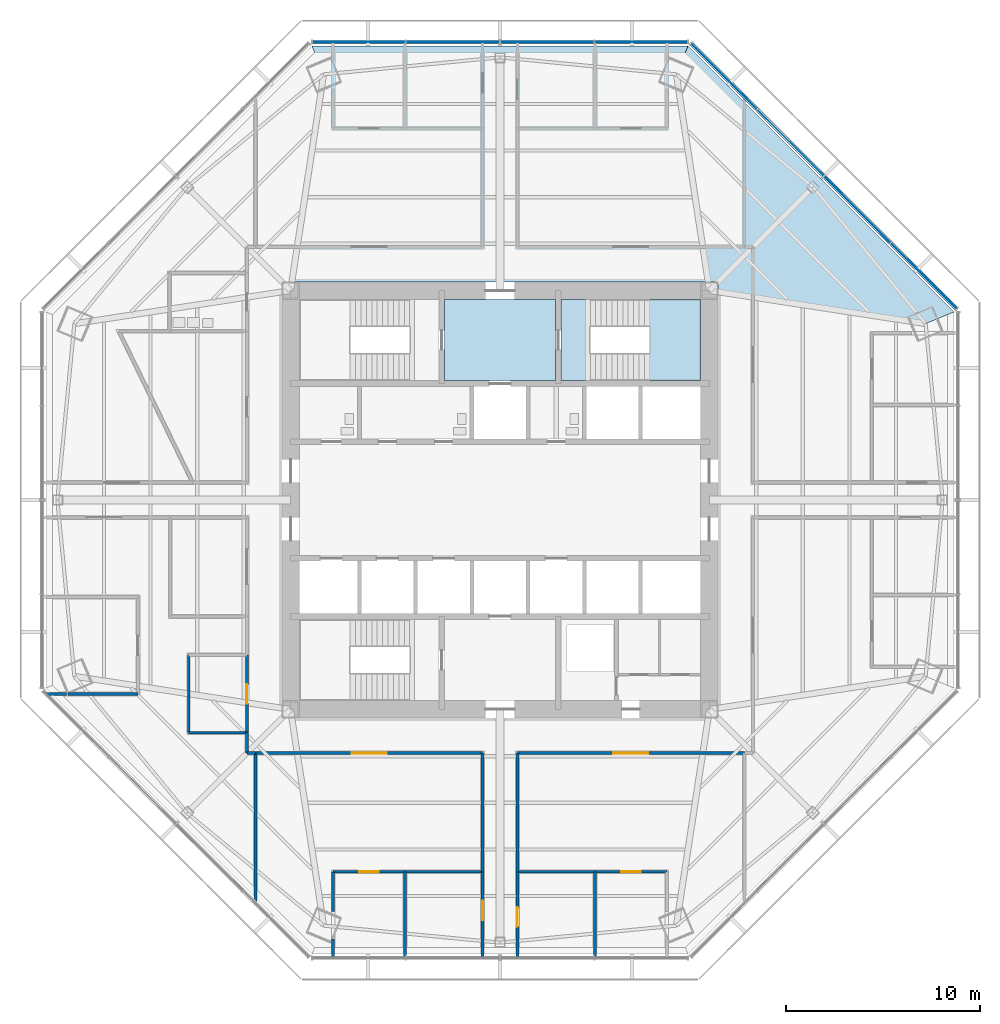
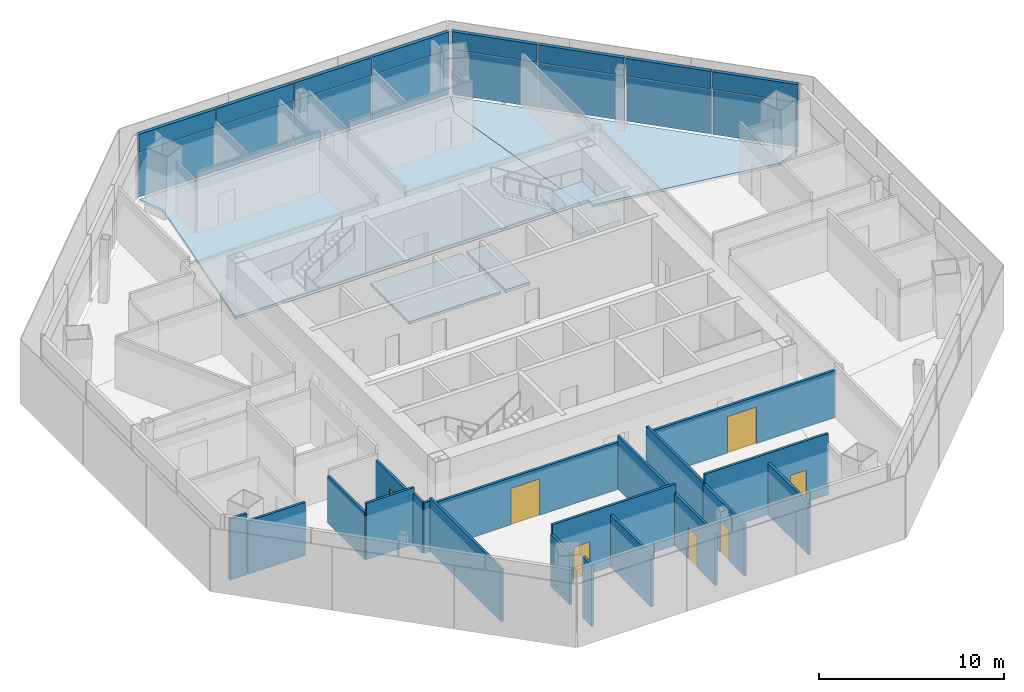
# One storey, part 8 of 15: 20 walls, 16 plates, 7 doors, 5 slabs, 7 openings, 3 elements without a shape of their own.
"""IFC4 building model written with IfcOpenShell, lengths in metres."""

from ifc_helpers import new_model, si_unit, direction, frame, frame_2d, origin, origin_2d, place, context, subcontext, project, spatial, polyline, rectangle, outline, extrude, source, transform, mapped, material, layer, layer_set, type_object, type_shapes, element, fill, aggregate, save


model = new_model("IFC4")

# Units and contexts
model_context = context("Model", 3, precision=1e-05, world=origin(), true_north=direction((0.0, 1.0)))
body_context = subcontext(model_context, "Body", "Model", "MODEL_VIEW")
ifc_project = project(units=[si_unit("LENGTHUNIT", "METRE"), si_unit("AREAUNIT", "SQUARE_METRE"), si_unit("VOLUMEUNIT", "CUBIC_METRE"), si_unit("PLANEANGLEUNIT", "RADIAN"), si_unit("MASSUNIT", "GRAM", prefix="KILO")], contexts=[model_context])

# Site, building, storey
site_placement = place(None, origin())
site = spatial("IfcSite", under=ifc_project, at=site_placement, CompositionType="ELEMENT")
building_placement = place(site_placement, origin())
building = spatial("IfcBuilding", under=site, at=building_placement, Name="Mashrafa Tower", CompositionType="ELEMENT")
storey_placement = place(building_placement, frame((0.0, 0.0, 155.39990234375)))
storey = spatial("IfcBuildingStorey", under=building, at=storey_placement, Name="L35", CompositionType="ELEMENT", Elevation=155.39990234375)

# Slabs
ifc_material_1 = material(Name="Concrete C35/45", Category="concrete")
ifc_layer_1 = layer(ifc_material_1, 0.1650390625)
ifc_layer_set_1 = layer_set([ifc_layer_1], Name="Floor slab 165")
slab_type_1 = type_object("IfcSlabType", Name="Floor slab 165", PredefinedType="FLOOR", material=ifc_layer_set_1)
slab_1_placement = place(storey_placement, frame((0.0, 0.0, -0.164794921875)))
element("IfcSlab", 1, at=slab_1_placement, inside=storey, type_object=slab_type_1, Name="Floor slab L35 north-east bay", PredefinedType="FLOOR", context=body_context, shape_type="SweptSolid", body=[
    extrude(outline(polyline([(23.418701171875, 9.700439453125), (21.945068359375, 9.090087890625), (11.25, 10.73095703125), (11.25, 11.25), (10.73095703125, 11.25), (9.090087890625, 21.945068359375), (9.700439453125, 23.418701171875), (23.418701171875, 9.700439453125)])), origin(), (0.0, 0.0, 1.0), 0.164794921875),
])
slab_2_placement = place(storey_placement, frame((0.0, 0.0, -0.164794921875)))
element("IfcSlab", 2, at=slab_2_placement, inside=storey, type_object=slab_type_1, Name="Floor slab L35 north bay", PredefinedType="FLOOR", context=body_context, shape_type="SweptSolid", body=[
    extrude(outline(polyline([(-9.700439453125, 23.418701171875), (9.700439453125, 23.418701171875), (9.700439453125, 23.418701171875), (9.090087890625, 21.945068359375), (10.73095703125, 11.25), (-10.73095703125, 11.25), (-9.090087890625, 21.945068359375), (-9.700439453125, 23.418701171875), (-9.700439453125, 23.418701171875)])), origin(), (0.0, 0.0, 1.0), 0.164794921875),
])
slab_3_placement = place(storey_placement, frame((0.0, 0.0, -0.164794921875)))
element("IfcSlab", 3, at=slab_3_placement, inside=storey, type_object=slab_type_1, Name="Core floor fire-fighting lobby north L35", PredefinedType="FLOOR", context=body_context, shape_type="SweptSolid", body=[
    extrude(outline(polyline([(-2.85009765625, 10.35009765625), (2.85009765625, 10.35009765625), (2.85009765625, 6.14990234375), (-2.85009765625, 6.14990234375), (-2.85009765625, 10.35009765625)])), origin(), (0.0, 0.0, 1.0), 0.164794921875),
])

# Stair, slabs
ifc_material_2 = material(Name="Exit stair 1400")
stair_type = type_object("IfcStairType", Name="Exit stair 1400", PredefinedType="HALF_TURN_STAIR", material=ifc_material_2)
stair_placement = place(storey_placement, origin())
stair = element("IfcStair", 4, at=stair_placement, inside=storey, type_object=stair_type, Name="Stair S2 L35", PredefinedType="HALF_TURN_STAIR")
ifc_material_3 = material(Name="Concrete C32/40", Category="concrete")
ifc_layer_2 = layer(ifc_material_3, 0.199951171875)
ifc_layer_set_2 = layer_set([ifc_layer_2], Name="Stair landing 200")
slab_type_2 = type_object("IfcSlabType", Name="Stair landing 200", PredefinedType="LANDING", material=ifc_layer_set_2)
slab_4_placement = place(storey_placement, frame((0.0, 0.0, -0.199951171875)))
slab_4 = element("IfcSlab", 5, at=slab_4_placement, type_object=slab_type_2, Name="S2 landing 1", PredefinedType="LANDING", context=body_context, shape_type="SweptSolid", body=[
    extrude(outline(polyline([(3.14990234375, 6.14990234375), (4.659912109375, 6.14990234375), (4.659912109375, 10.35009765625), (3.14990234375, 10.35009765625), (3.14990234375, 6.14990234375)])), origin(), (0.0, 0.0, 1.0), 0.199951171875),
])
slab_5_placement = place(storey_placement, frame((0.0, 0.0, 1.900146484375)))
slab_5 = element("IfcSlab", 6, at=slab_5_placement, type_object=slab_type_2, Name="S2 landing 2", PredefinedType="LANDING", context=body_context, shape_type="SweptSolid", body=[
    extrude(outline(polyline([(7.719970703125, 6.14990234375), (10.35009765625, 6.14990234375), (10.35009765625, 10.35009765625), (7.719970703125, 10.35009765625), (7.719970703125, 6.14990234375)])), origin(), (0.0, 0.0, 1.0), 0.199951171875),
])
aggregate(stair, [slab_4, slab_5])

# Curtain wall, plates
ifc_material_4 = material(Name="Unitised aluminium curtain wall", Category="aluminium")
curtain_wall_type = type_object("IfcCurtainWallType", Name="Office curtain wall, zone 2 CW-B 225 deep", PredefinedType="NOTDEFINED", material=ifc_material_4)
curtain_wall_1_placement = place(storey_placement, origin())
curtain_wall_1 = element("IfcCurtainWall", 7, at=curtain_wall_1_placement, inside=storey, type_object=curtain_wall_type, Name="Office curtain wall, zone 2 L35 north-east", PredefinedType="NOTDEFINED")
ifc_material_5 = material(Name="Insulated double glazing, low-e, neutral", Category="glass")
ifc_layer_3 = layer(ifc_material_5, 0.028076171875)
ifc_layer_set_3 = layer_set([ifc_layer_3], Name="Vision panel CW-B 28")
plate_type_1 = type_object("IfcPlateType", Name="Vision panel CW-B 28", PredefinedType="CURTAIN_PANEL", material=ifc_layer_set_3)
shared_shape_1 = source(origin(), body_context, "Body", "SweptSolid", [
    extrude(rectangle(XDim=4.765869140625, YDim=0.028076171875, at=origin_2d()), origin(), (0.0, 0.0, 1.0), 2.9599609375),
])
plate_1_placement = place(storey_placement, frame((21.84765625, 11.55419921875, 0.0), z_axis=(0.0, 0.0, 1.0), x_axis=(-0.707106781187, 0.707106781187, 0.0)))
plate_1 = element("IfcPlate", 8, at=plate_1_placement, type_object=plate_type_1, Name="CW-B vision panel 1", PredefinedType="CURTAIN_PANEL", context=body_context, shape_type="MappedRepresentation", body=[
    mapped(shared_shape_1, transform((0.0, 0.0, 0.0))),
])
plate_2_placement = place(storey_placement, frame((11.55419921875, 21.84765625, 0.0), z_axis=(0.0, 0.0, 1.0), x_axis=(-0.707106781187, 0.707106781187, 0.0)))
plate_2 = element("IfcPlate", 9, at=plate_2_placement, type_object=plate_type_1, Name="CW-B vision panel 4", PredefinedType="CURTAIN_PANEL", context=body_context, shape_type="MappedRepresentation", body=[
    mapped(shared_shape_1, transform((0.0, 0.0, 0.0))),
])

curtain_wall_2_placement = place(storey_placement, origin())
curtain_wall_2 = element("IfcCurtainWall", 10, at=curtain_wall_2_placement, inside=storey, type_object=curtain_wall_type, Name="Office curtain wall, zone 2 L35 north", PredefinedType="NOTDEFINED")
plate_3_placement = place(storey_placement, frame((7.278564453125, 23.61865234375, 0.0), z_axis=(0.0, 0.0, 1.0), x_axis=(-1.0, 0.0, 0.0)))
plate_3 = element("IfcPlate", 11, at=plate_3_placement, type_object=plate_type_1, Name="CW-B vision panel 1", PredefinedType="CURTAIN_PANEL", context=body_context, shape_type="MappedRepresentation", body=[
    mapped(shared_shape_1, transform((0.0, 0.0, 0.0))),
])
plate_4_placement = place(storey_placement, frame((-7.278564453125, 23.61865234375, 0.0), z_axis=(0.0, 0.0, 1.0), x_axis=(-1.0, 0.0, 0.0)))
plate_4 = element("IfcPlate", 12, at=plate_4_placement, type_object=plate_type_1, Name="CW-B vision panel 4", PredefinedType="CURTAIN_PANEL", context=body_context, shape_type="MappedRepresentation", body=[
    mapped(shared_shape_1, transform((0.0, 0.0, 0.0))),
])

# Plate
ifc_material_6 = material(Name="Insulated aluminium spandrel panel", Category="aluminium")
ifc_layer_4 = layer(ifc_material_6, 0.219970703125)
ifc_layer_set_4 = layer_set([ifc_layer_4], Name="Spandrel panel CW-B 220")
plate_type_2 = type_object("IfcPlateType", Name="Spandrel panel CW-B 220", PredefinedType="CURTAIN_PANEL", material=ifc_layer_set_4)
shared_shape_2 = source(origin(), body_context, "Body", "SweptSolid", [
    extrude(rectangle(XDim=4.765869140625, YDim=0.219970703125, at=origin_2d()), origin(), (0.0, 0.0, 1.0), 1.159912109375),
])
plate_5_placement = place(storey_placement, frame((21.84765625, 11.55419921875, 3.0400390625), z_axis=(0.0, 0.0, 1.0), x_axis=(-0.707106781187, 0.707106781187, 0.0)))
plate_5 = element("IfcPlate", 13, at=plate_5_placement, type_object=plate_type_2, Name="CW-B spandrel panel 1", PredefinedType="CURTAIN_PANEL", context=body_context, shape_type="MappedRepresentation", body=[
    mapped(shared_shape_2, transform((0.0, 0.0, 0.0))),
])

plate_6_placement = place(storey_placement, frame((11.55419921875, 21.84765625, 3.0400390625), z_axis=(0.0, 0.0, 1.0), x_axis=(-0.707106781187, 0.707106781187, 0.0)))
plate_6 = element("IfcPlate", 14, at=plate_6_placement, type_object=plate_type_2, Name="CW-B spandrel panel 4", PredefinedType="CURTAIN_PANEL", context=body_context, shape_type="MappedRepresentation", body=[
    mapped(shared_shape_2, transform((0.0, 0.0, 0.0))),
])

plate_7_placement = place(storey_placement, frame((7.278564453125, 23.61865234375, 3.0400390625), z_axis=(0.0, 0.0, 1.0), x_axis=(-1.0, 0.0, 0.0)))
plate_7 = element("IfcPlate", 15, at=plate_7_placement, type_object=plate_type_2, Name="CW-B spandrel panel 1", PredefinedType="CURTAIN_PANEL", context=body_context, shape_type="MappedRepresentation", body=[
    mapped(shared_shape_2, transform((0.0, 0.0, 0.0))),
])

plate_8_placement = place(storey_placement, frame((-7.278564453125, 23.61865234375, 3.0400390625), z_axis=(0.0, 0.0, 1.0), x_axis=(-1.0, 0.0, 0.0)))
plate_8 = element("IfcPlate", 16, at=plate_8_placement, type_object=plate_type_2, Name="CW-B spandrel panel 4", PredefinedType="CURTAIN_PANEL", context=body_context, shape_type="MappedRepresentation", body=[
    mapped(shared_shape_2, transform((0.0, 0.0, 0.0))),
])

shared_shape_3 = source(origin(), body_context, "Body", "SweptSolid", [
    extrude(rectangle(XDim=4.79833984375, YDim=0.028076171875, at=origin_2d()), origin(), (0.0, 0.0, 1.0), 2.9599609375),
])
type_shapes(plate_type_1, [shared_shape_1, shared_shape_3])
plate_9_placement = place(storey_placement, frame((18.42041015625, 14.9814453125, 0.0), z_axis=(0.0, 0.0, 1.0), x_axis=(-0.707106781187, 0.707106781187, 0.0)))
plate_9 = element("IfcPlate", 17, at=plate_9_placement, type_object=plate_type_1, Name="CW-B vision panel 2", PredefinedType="CURTAIN_PANEL", context=body_context, shape_type="MappedRepresentation", body=[
    mapped(shared_shape_3, transform((0.0, 0.0, 0.0))),
])

plate_10_placement = place(storey_placement, frame((14.9814453125, 18.42041015625, 0.0), z_axis=(0.0, 0.0, 1.0), x_axis=(-0.707106781187, 0.707106781187, 0.0)))
plate_10 = element("IfcPlate", 18, at=plate_10_placement, type_object=plate_type_1, Name="CW-B vision panel 3", PredefinedType="CURTAIN_PANEL", context=body_context, shape_type="MappedRepresentation", body=[
    mapped(shared_shape_3, transform((0.0, 0.0, 0.0))),
])

plate_11_placement = place(storey_placement, frame((2.431640625, 23.61865234375, 0.0), z_axis=(0.0, 0.0, 1.0), x_axis=(-1.0, 0.0, 0.0)))
plate_11 = element("IfcPlate", 19, at=plate_11_placement, type_object=plate_type_1, Name="CW-B vision panel 2", PredefinedType="CURTAIN_PANEL", context=body_context, shape_type="MappedRepresentation", body=[
    mapped(shared_shape_3, transform((0.0, 0.0, 0.0))),
])

plate_12_placement = place(storey_placement, frame((-2.431640625, 23.61865234375, 0.0), z_axis=(0.0, 0.0, 1.0), x_axis=(-1.0, 0.0, 0.0)))
plate_12 = element("IfcPlate", 20, at=plate_12_placement, type_object=plate_type_1, Name="CW-B vision panel 3", PredefinedType="CURTAIN_PANEL", context=body_context, shape_type="MappedRepresentation", body=[
    mapped(shared_shape_3, transform((0.0, 0.0, 0.0))),
])

shared_shape_4 = source(origin(), body_context, "Body", "SweptSolid", [
    extrude(rectangle(XDim=4.79833984375, YDim=0.219970703125, at=origin_2d()), origin(), (0.0, 0.0, 1.0), 1.159912109375),
])
type_shapes(plate_type_2, [shared_shape_2, shared_shape_4])
plate_13_placement = place(storey_placement, frame((18.42041015625, 14.9814453125, 3.0400390625), z_axis=(0.0, 0.0, 1.0), x_axis=(-0.707106781187, 0.707106781187, 0.0)))
plate_13 = element("IfcPlate", 21, at=plate_13_placement, type_object=plate_type_2, Name="CW-B spandrel panel 2", PredefinedType="CURTAIN_PANEL", context=body_context, shape_type="MappedRepresentation", body=[
    mapped(shared_shape_4, transform((0.0, 0.0, 0.0))),
])

plate_14_placement = place(storey_placement, frame((14.9814453125, 18.42041015625, 3.0400390625), z_axis=(0.0, 0.0, 1.0), x_axis=(-0.707106781187, 0.707106781187, 0.0)))
plate_14 = element("IfcPlate", 22, at=plate_14_placement, type_object=plate_type_2, Name="CW-B spandrel panel 3", PredefinedType="CURTAIN_PANEL", context=body_context, shape_type="MappedRepresentation", body=[
    mapped(shared_shape_4, transform((0.0, 0.0, 0.0))),
])

aggregate(curtain_wall_1, [plate_1, plate_5, plate_9, plate_13, plate_10, plate_14, plate_2, plate_6])

plate_15_placement = place(storey_placement, frame((2.431640625, 23.61865234375, 3.0400390625), z_axis=(0.0, 0.0, 1.0), x_axis=(-1.0, 0.0, 0.0)))
plate_15 = element("IfcPlate", 23, at=plate_15_placement, type_object=plate_type_2, Name="CW-B spandrel panel 2", PredefinedType="CURTAIN_PANEL", context=body_context, shape_type="MappedRepresentation", body=[
    mapped(shared_shape_4, transform((0.0, 0.0, 0.0))),
])

plate_16_placement = place(storey_placement, frame((-2.431640625, 23.61865234375, 3.0400390625), z_axis=(0.0, 0.0, 1.0), x_axis=(-1.0, 0.0, 0.0)))
plate_16 = element("IfcPlate", 24, at=plate_16_placement, type_object=plate_type_2, Name="CW-B spandrel panel 3", PredefinedType="CURTAIN_PANEL", context=body_context, shape_type="MappedRepresentation", body=[
    mapped(shared_shape_4, transform((0.0, 0.0, 0.0))),
])

aggregate(curtain_wall_2, [plate_3, plate_7, plate_11, plate_15, plate_12, plate_16, plate_4, plate_8])

# Wall, opening, door
ifc_material_7 = material(Name="Gypsum board on steel studs", Category="steel")
ifc_layer_5 = layer(ifc_material_7, 0.14990234375)
ifc_layer_set_5 = layer_set([ifc_layer_5], Name="Corridor partition 150 1 hr")
wall_type_1 = type_object("IfcWallType", Name="Corridor partition 150 1 hr", PredefinedType="PARTITIONING", material=ifc_layer_set_5)
wall_1_placement = place(storey_placement, frame((0.89990234375, -23.602783203125, 0.0), z_axis=(0.0, 0.0, 1.0), x_axis=(0.0, 1.0, 0.0)))
wall_1 = element("IfcWall", 25, at=wall_1_placement, inside=storey, type_object=wall_type_1, Name="Corridor wall L35-008", PredefinedType="PARTITIONING", context=body_context, shape_type="SweptSolid", body=[
    extrude(rectangle(XDim=4.43505859375, YDim=0.14990234375, at=frame_2d((2.217529296875, 0.0))), origin(), (0.0, 0.0, 1.0), 3.423095703125),
])
opening_1_placement = place(wall_1_placement, frame((1.599609375, 0.0, 0.0)))
opening_1 = element("IfcOpeningElement", 26, at=opening_1_placement, cuts=wall_1, Name="Opening 35.011", PredefinedType="OPENING", context=body_context, shape_type="SweptSolid", body=[
    extrude(rectangle(XDim=1.0, YDim=2.10009765625, at=frame_2d((0.5, 1.050048828125))), frame((0.0, 0.0849609375, 0.0), z_axis=(0.0, -1.0, 0.0), x_axis=(1.0, 0.0, 0.0)), (0.0, 0.0, 1.0), 0.169921875),
])
ifc_material_8 = material(Name="Timber door", Category="wood")
door_type_1 = type_object("IfcDoorType", Name="Door 1000 x 2100", OperationType="USERDEFINED", PredefinedType="DOOR", material=ifc_material_8)
door_1_placement = place(opening_1_placement, frame((1.0, 0.0, 0.0), z_axis=(0.0, 0.0, 1.0), x_axis=(-1.0, 0.0, 0.0)))
door_1 = element("IfcDoor", 27, at=door_1_placement, inside=storey, type_object=door_type_1, Name="Serviced Office 35-SA-1 door", OperationType="SINGLE_SWING_RIGHT", OverallHeight=2.10009765625, OverallWidth=1.0, PredefinedType="DOOR", context=body_context, shape_type="SweptSolid", body=[
    extrude(rectangle(XDim=1.0, YDim=2.10009765625, at=frame_2d((0.5, 1.050048828125))), frame((0.0, 0.02490234375, 0.0), z_axis=(0.0, -1.0, 0.0), x_axis=(1.0, 0.0, 0.0)), (0.0, 0.0, 1.0), 0.050048828125),
])
fill(opening_1, door_1)

wall_2_placement = place(storey_placement, frame((-0.89990234375, -19.167724609375, 0.0), z_axis=(0.0, 0.0, 1.0), x_axis=(0.0, -1.0, 0.0)))
wall_2 = element("IfcWall", 28, at=wall_2_placement, inside=storey, type_object=wall_type_1, Name="Corridor wall L35-009", PredefinedType="PARTITIONING", context=body_context, shape_type="SweptSolid", body=[
    extrude(rectangle(XDim=4.43505859375, YDim=0.14990234375, at=frame_2d((2.217529296875, 0.0))), origin(), (0.0, 0.0, 1.0), 3.423095703125),
])
opening_2_placement = place(wall_2_placement, frame((1.50048828125, 0.0, 0.0)))
opening_2 = element("IfcOpeningElement", 29, at=opening_2_placement, cuts=wall_2, Name="Opening 35.014", PredefinedType="OPENING", context=body_context, shape_type="SweptSolid", body=[
    extrude(rectangle(XDim=1.0, YDim=2.10009765625, at=frame_2d((0.5, 1.050048828125))), frame((0.0, 0.0849609375, 0.0), z_axis=(0.0, -1.0, 0.0), x_axis=(1.0, 0.0, 0.0)), (0.0, 0.0, 1.0), 0.169921875),
])
door_2_placement = place(opening_2_placement, frame((1.0, 0.0, 0.0), z_axis=(0.0, 0.0, 1.0), x_axis=(-1.0, 0.0, 0.0)))
door_2 = element("IfcDoor", 30, at=door_2_placement, inside=storey, type_object=door_type_1, Name="Serviced Office 35-SB-2 door", OperationType="SINGLE_SWING_RIGHT", OverallHeight=2.10009765625, OverallWidth=1.0, PredefinedType="DOOR", context=body_context, shape_type="SweptSolid", body=[
    extrude(rectangle(XDim=1.0, YDim=2.10009765625, at=frame_2d((0.5, 1.050048828125))), frame((0.0, 0.02490234375, 0.0), z_axis=(0.0, -1.0, 0.0), x_axis=(1.0, 0.0, 0.0)), (0.0, 0.0, 1.0), 0.050048828125),
])
fill(opening_2, door_2)

wall_3_placement = place(storey_placement, frame((-13.050048828125, -7.9990234375, 0.0), z_axis=(0.0, 0.0, 1.0), x_axis=(0.0, -1.0, 0.0)))
wall_3 = element("IfcWall", 31, at=wall_3_placement, inside=storey, type_object=wall_type_1, Name="Corridor wall L35-010", PredefinedType="PARTITIONING", context=body_context, shape_type="SweptSolid", body=[
    extrude(rectangle(XDim=4.001953125, YDim=0.14990234375, at=frame_2d((2.0009765625, 0.0))), origin(), (0.0, 0.0, 1.0), 3.097900390625),
])
opening_3_placement = place(wall_3_placement, frame((1.5009765625, 0.0, 0.0)))
opening_3 = element("IfcOpeningElement", 32, at=opening_3_placement, cuts=wall_3, Name="Opening 35.016", PredefinedType="OPENING", context=body_context, shape_type="SweptSolid", body=[
    extrude(rectangle(XDim=1.0, YDim=2.10009765625, at=frame_2d((0.5, 1.050048828125))), frame((0.0, 0.0849609375, 0.0), z_axis=(0.0, -1.0, 0.0), x_axis=(1.0, 0.0, 0.0)), (0.0, 0.0, 1.0), 0.169921875),
])
door_3_placement = place(opening_3_placement, frame((1.0, 0.0, 0.0), z_axis=(0.0, 0.0, 1.0), x_axis=(-1.0, 0.0, 0.0)))
door_3 = element("IfcDoor", 33, at=door_3_placement, inside=storey, type_object=door_type_1, Name="Shared Pantry 35 door", OperationType="SINGLE_SWING_RIGHT", OverallHeight=2.10009765625, OverallWidth=1.0, PredefinedType="DOOR", context=body_context, shape_type="SweptSolid", body=[
    extrude(rectangle(XDim=1.0, YDim=2.10009765625, at=frame_2d((0.5, 1.050048828125))), frame((0.0, 0.02490234375, 0.0), z_axis=(0.0, -1.0, 0.0), x_axis=(1.0, 0.0, 0.0)), (0.0, 0.0, 1.0), 0.050048828125),
])
fill(opening_3, door_3)

# Walls
wall_4_placement = place(storey_placement, frame((-13.050048828125, -11.9990234375, 0.0), z_axis=(0.0, 0.0, 1.0), x_axis=(0.0, -1.0, 0.0)))
element("IfcWall", 34, at=wall_4_placement, inside=storey, type_object=wall_type_1, Name="Corridor wall L35-024", PredefinedType="PARTITIONING", context=body_context, shape_type="SweptSolid", body=[
    extrude(rectangle(XDim=1.051025390625, YDim=0.14990234375, at=frame_2d((0.525390625, 0.0))), origin(), (0.0, 0.0, 1.0), 3.331787109375),
])
wall_5_placement = place(storey_placement, frame((-13.050048828125, -13.050048828125, 0.0), z_axis=(0.0, 0.0, 1.0), x_axis=(1.0, 0.0, 0.0)))
element("IfcWall", 35, at=wall_5_placement, inside=storey, type_object=wall_type_1, Name="Corridor wall L35-025", PredefinedType="PARTITIONING", context=body_context, shape_type="SweptSolid", body=[
    extrude(rectangle(XDim=0.450927734375, YDim=0.14990234375, at=frame_2d((0.2255859375, 0.0))), origin(), (0.0, 0.0, 1.0), 3.331787109375),
])

# Wall, opening, door
wall_6_placement = place(storey_placement, frame((-12.60107421875, -13.050048828125, 0.0), z_axis=(0.0, 0.0, 1.0), x_axis=(1.0, 0.0, 0.0)))
wall_6 = element("IfcWall", 36, at=wall_6_placement, inside=storey, type_object=wall_type_1, Name="Corridor wall L35-027", PredefinedType="PARTITIONING", context=body_context, shape_type="SweptSolid", body=[
    extrude(rectangle(XDim=11.701171875, YDim=0.14990234375, at=frame_2d((5.8505859375, 0.0))), origin(), (0.0, 0.0, 1.0), 3.097900390625),
])
opening_4_placement = place(wall_6_placement, frame((4.950439453125, 0.0, 0.0)))
opening_4 = element("IfcOpeningElement", 37, at=opening_4_placement, cuts=wall_6, Name="Opening 35.023", PredefinedType="OPENING", context=body_context, shape_type="SweptSolid", body=[
    extrude(rectangle(XDim=1.800048828125, YDim=2.39990234375, at=frame_2d((0.89990234375, 1.199951171875))), frame((0.0, 0.0849609375, 0.0), z_axis=(0.0, -1.0, 0.0), x_axis=(1.0, 0.0, 0.0)), (0.0, 0.0, 1.0), 0.169921875),
])
ifc_material_9 = material(Name="Timber door", Category="wood")
door_type_2 = type_object("IfcDoorType", Name="Door pair 1800 x 2400", OperationType="DOUBLE_DOOR_SINGLE_SWING", PredefinedType="DOOR", material=ifc_material_9)
door_4_placement = place(opening_4_placement, origin())
door_4 = element("IfcDoor", 38, at=door_4_placement, inside=storey, type_object=door_type_2, Name="Business Centre Lounge 35-SW2 door", OperationType="DOUBLE_DOOR_SINGLE_SWING", OverallHeight=2.39990234375, OverallWidth=1.800048828125, PredefinedType="DOOR", context=body_context, shape_type="SweptSolid", body=[
    extrude(rectangle(XDim=1.800048828125, YDim=2.39990234375, at=frame_2d((0.89990234375, 1.199951171875))), frame((0.0, 0.02490234375, 0.0), z_axis=(0.0, -1.0, 0.0), x_axis=(1.0, 0.0, 0.0)), (0.0, 0.0, 1.0), 0.050048828125),
])
fill(opening_4, door_4)

# Walls
for number, where, z_axis, x_axis, name in (
    (39, (-0.89990234375, -13.050048828125, 0.0), (0.0, 0.0, 1.0), (0.0, -1.0, 0.0), "Corridor wall L35-028"),
    (40, (0.89990234375, -19.169677734375, 0.0), (0.0, 0.0, 1.0), (0.0, 1.0, 0.0), "Corridor wall L35-032"),
):
    element("IfcWall", number, at=place(storey_placement, frame(where, z_axis=z_axis, x_axis=x_axis)), inside=storey, type_object=wall_type_1, Name=name, PredefinedType="PARTITIONING", context=body_context, shape_type="SweptSolid", body=[
        extrude(rectangle(XDim=6.11962890625, YDim=0.14990234375, at=frame_2d((3.059814453125, 0.0))), origin(), (0.0, 0.0, 1.0), 3.49169921875),
    ])

# Wall, opening, door
wall_7_placement = place(storey_placement, frame((0.89990234375, -13.050048828125, 0.0), z_axis=(0.0, 0.0, 1.0), x_axis=(1.0, 0.0, 0.0)))
wall_7 = element("IfcWall", 41, at=wall_7_placement, inside=storey, type_object=wall_type_1, Name="Corridor wall L35-033", PredefinedType="PARTITIONING", context=body_context, shape_type="SweptSolid", body=[
    extrude(rectangle(XDim=11.701171875, YDim=0.14990234375, at=frame_2d((5.8505859375, 0.0))), origin(), (0.0, 0.0, 1.0), 3.097900390625),
])
opening_5_placement = place(wall_7_placement, frame((4.950439453125, 0.0, 0.0)))
opening_5 = element("IfcOpeningElement", 42, at=opening_5_placement, cuts=wall_7, Name="Opening 35.025", PredefinedType="OPENING", context=body_context, shape_type="SweptSolid", body=[
    extrude(rectangle(XDim=1.800048828125, YDim=2.39990234375, at=frame_2d((0.89990234375, 1.199951171875))), frame((0.0, 0.0849609375, 0.0), z_axis=(0.0, -1.0, 0.0), x_axis=(1.0, 0.0, 0.0)), (0.0, 0.0, 1.0), 0.169921875),
])
door_5_placement = place(opening_5_placement, origin())
door_5 = element("IfcDoor", 43, at=door_5_placement, inside=storey, type_object=door_type_2, Name="Business Centre Lounge 35-SE2 door", OperationType="DOUBLE_DOOR_SINGLE_SWING", OverallHeight=2.39990234375, OverallWidth=1.800048828125, PredefinedType="DOOR", context=body_context, shape_type="SweptSolid", body=[
    extrude(rectangle(XDim=1.800048828125, YDim=2.39990234375, at=frame_2d((0.89990234375, 1.199951171875))), frame((0.0, 0.02490234375, 0.0), z_axis=(0.0, -1.0, 0.0), x_axis=(1.0, 0.0, 0.0)), (0.0, 0.0, 1.0), 0.050048828125),
])
fill(opening_5, door_5)

# Wall
ifc_material_10 = material(Name="Gypsum board on steel studs", Category="steel")
ifc_layer_6 = layer(ifc_material_10, 0.14990234375)
ifc_layer_set_6 = layer_set([ifc_layer_6], Name="Partition 150")
wall_type_2 = type_object("IfcWallType", Name="Partition 150", PredefinedType="PARTITIONING", material=ifc_layer_set_6)
wall_8_placement = place(storey_placement, frame((4.89990234375, -23.6005859375, 0.0), z_axis=(0.0, 0.0, 1.0), x_axis=(0.0, 1.0, 0.0)))
element("IfcWall", 44, at=wall_8_placement, inside=storey, type_object=wall_type_2, Name="Partition wall L35-059", PredefinedType="PARTITIONING", context=body_context, shape_type="SweptSolid", body=[
    extrude(rectangle(XDim=4.431884765625, YDim=0.14990234375, at=frame_2d((2.2158203125, 0.0))), origin(), (0.0, 0.0, 1.0), 3.423095703125),
])

# Wall, opening, door
wall_9_placement = place(storey_placement, frame((0.89990234375, -19.168701171875, 0.0), z_axis=(0.0, 0.0, 1.0), x_axis=(1.0, 0.0, 0.0)))
wall_9 = element("IfcWall", 45, at=wall_9_placement, inside=storey, type_object=wall_type_2, Name="Partition wall L35-060", PredefinedType="PARTITIONING", context=body_context, shape_type="SweptSolid", body=[
    extrude(rectangle(XDim=7.7001953125, YDim=0.14990234375, at=frame_2d((3.85009765625, 0.0))), origin(), (0.0, 0.0, 1.0), 4.03515625),
])
opening_6_placement = place(wall_9_placement, frame((5.35009765625, 0.0, 0.0)))
opening_6 = element("IfcOpeningElement", 46, at=opening_6_placement, cuts=wall_9, Name="Opening 35.012", PredefinedType="OPENING", context=body_context, shape_type="SweptSolid", body=[
    extrude(rectangle(XDim=1.0, YDim=2.10009765625, at=frame_2d((0.5, 1.050048828125))), frame((0.0, 0.0849609375, 0.0), z_axis=(0.0, -1.0, 0.0), x_axis=(1.0, 0.0, 0.0)), (0.0, 0.0, 1.0), 0.169921875),
])
door_6_placement = place(opening_6_placement, frame((1.0, 0.0, 0.0), z_axis=(0.0, 0.0, 1.0), x_axis=(-1.0, 0.0, 0.0)))
door_6 = element("IfcDoor", 47, at=door_6_placement, inside=storey, type_object=door_type_1, Name="Serviced Office 35-SE2 door", OperationType="SINGLE_SWING_RIGHT", OverallHeight=2.10009765625, OverallWidth=1.0, PredefinedType="DOOR", context=body_context, shape_type="SweptSolid", body=[
    extrude(rectangle(XDim=1.0, YDim=2.10009765625, at=frame_2d((0.5, 1.050048828125))), frame((0.0, 0.02490234375, 0.0), z_axis=(0.0, -1.0, 0.0), x_axis=(1.0, 0.0, 0.0)), (0.0, 0.0, 1.0), 0.050048828125),
])
fill(opening_6, door_6)

# Wall
wall_10_placement = place(storey_placement, frame((-4.89990234375, -23.6005859375, 0.0), z_axis=(0.0, 0.0, 1.0), x_axis=(0.0, 1.0, 0.0)))
element("IfcWall", 48, at=wall_10_placement, inside=storey, type_object=wall_type_2, Name="Partition wall L35-064", PredefinedType="PARTITIONING", context=body_context, shape_type="SweptSolid", body=[
    extrude(rectangle(XDim=4.431884765625, YDim=0.14990234375, at=frame_2d((2.2158203125, 0.0))), origin(), (0.0, 0.0, 1.0), 3.423095703125),
])

# Wall, opening, door
wall_11_placement = place(storey_placement, frame((-8.60009765625, -19.168701171875, 0.0), z_axis=(0.0, 0.0, 1.0), x_axis=(1.0, 0.0, 0.0)))
wall_11 = element("IfcWall", 49, at=wall_11_placement, inside=storey, type_object=wall_type_2, Name="Partition wall L35-065", PredefinedType="PARTITIONING", context=body_context, shape_type="SweptSolid", body=[
    extrude(rectangle(XDim=7.7001953125, YDim=0.14990234375, at=frame_2d((3.85009765625, 0.0))), origin(), (0.0, 0.0, 1.0), 4.03515625),
])
opening_7_placement = place(wall_11_placement, frame((1.35009765625, 0.0, 0.0)))
opening_7 = element("IfcOpeningElement", 50, at=opening_7_placement, cuts=wall_11, Name="Opening 35.013", PredefinedType="OPENING", context=body_context, shape_type="SweptSolid", body=[
    extrude(rectangle(XDim=1.0, YDim=2.10009765625, at=frame_2d((0.5, 1.050048828125))), frame((0.0, 0.0849609375, 0.0), z_axis=(0.0, -1.0, 0.0), x_axis=(1.0, 0.0, 0.0)), (0.0, 0.0, 1.0), 0.169921875),
])
door_7_placement = place(opening_7_placement, frame((1.0, 0.0, 0.0), z_axis=(0.0, 0.0, 1.0), x_axis=(-1.0, 0.0, 0.0)))
door_7 = element("IfcDoor", 51, at=door_7_placement, inside=storey, type_object=door_type_1, Name="Serviced Office 35-SW2 door", OperationType="SINGLE_SWING_RIGHT", OverallHeight=2.10009765625, OverallWidth=1.0, PredefinedType="DOOR", context=body_context, shape_type="SweptSolid", body=[
    extrude(rectangle(XDim=1.0, YDim=2.10009765625, at=frame_2d((0.5, 1.050048828125))), frame((0.0, 0.02490234375, 0.0), z_axis=(0.0, -1.0, 0.0), x_axis=(1.0, 0.0, 0.0)), (0.0, 0.0, 1.0), 0.050048828125),
])
fill(opening_7, door_7)

# Walls
wall_12_placement = place(storey_placement, frame((-8.60009765625, -19.168701171875, 0.0), z_axis=(0.0, 0.0, 1.0), x_axis=(0.0, -1.0, 0.0)))
element("IfcWall", 52, at=wall_12_placement, inside=storey, type_object=wall_type_2, Name="Partition wall L35-066", PredefinedType="PARTITIONING", context=body_context, shape_type="SweptSolid", body=[
    extrude(rectangle(XDim=2.05615234375, YDim=0.14990234375, at=frame_2d((1.028076171875, 0.0))), origin(), (0.0, 0.0, 1.0), 3.423095703125),
])
wall_13_placement = place(storey_placement, frame((-8.60009765625, -22.64111328125, 0.0), z_axis=(0.0, 0.0, 1.0), x_axis=(0.0, -1.0, 0.0)))
element("IfcWall", 53, at=wall_13_placement, inside=storey, type_object=wall_type_2, Name="Partition wall L35-067", PredefinedType="PARTITIONING", context=body_context, shape_type="SweptSolid", body=[
    extrude(rectangle(XDim=0.95947265625, YDim=0.14990234375, at=frame_2d((0.479736328125, 0.0))), origin(), (0.0, 0.0, 1.0), 4.03515625),
])
wall_14_placement = place(storey_placement, frame((-23.3779296875, -10.0, 0.0), z_axis=(0.0, 0.0, 1.0), x_axis=(1.0, 0.0, 0.0)))
element("IfcWall", 54, at=wall_14_placement, inside=storey, type_object=wall_type_2, Name="Partition wall L35-069", PredefinedType="PARTITIONING", context=body_context, shape_type="SweptSolid", body=[
    extrude(rectangle(XDim=1.03662109375, YDim=0.14990234375, at=frame_2d((0.518310546875, 0.0))), origin(), (0.0, 0.0, 1.0), 4.03515625),
])
wall_15_placement = place(storey_placement, frame((-22.26318359375, -10.0, 0.0), z_axis=(0.0, 0.0, 1.0), x_axis=(1.0, 0.0, 0.0)))
element("IfcWall", 55, at=wall_15_placement, inside=storey, type_object=wall_type_2, Name="Partition wall L35-070", PredefinedType="PARTITIONING", context=body_context, shape_type="SweptSolid", body=[
    extrude(rectangle(XDim=3.594482421875, YDim=0.14990234375, at=frame_2d((1.79736328125, 0.0))), origin(), (0.0, 0.0, 1.0), 3.499267578125),
])
wall_16_placement = place(storey_placement, frame((-16.050048828125, -8.0, 0.0), z_axis=(0.0, 0.0, 1.0), x_axis=(0.0, -1.0, 0.0)))
element("IfcWall", 56, at=wall_16_placement, inside=storey, type_object=wall_type_2, Name="Partition wall L35-074", PredefinedType="PARTITIONING", context=body_context, shape_type="SweptSolid", body=[
    extrude(rectangle(XDim=4.0, YDim=0.14990234375, at=frame_2d((2.0, 0.0))), origin(), (0.0, 0.0, 1.0), 3.097900390625),
])
wall_17_placement = place(storey_placement, frame((-16.050048828125, -12.0, 0.0), z_axis=(0.0, 0.0, 1.0), x_axis=(1.0, 0.0, 0.0)))
element("IfcWall", 57, at=wall_17_placement, inside=storey, type_object=wall_type_2, Name="Partition wall L35-075", PredefinedType="PARTITIONING", context=body_context, shape_type="SweptSolid", body=[
    extrude(rectangle(XDim=3.0, YDim=0.14990234375, at=frame_2d((1.5, 0.0))), origin(), (0.0, 0.0, 1.0), 3.715087890625),
])
wall_18_placement = place(storey_placement, frame((-12.60009765625, -20.778076171875, 0.0), z_axis=(0.0, 0.0, 1.0), x_axis=(0.0, 1.0, 0.0)))
element("IfcWall", 58, at=wall_18_placement, inside=storey, type_object=wall_type_2, Name="Partition wall L35-080", PredefinedType="PARTITIONING", context=body_context, shape_type="SweptSolid", body=[
    extrude(rectangle(XDim=7.72802734375, YDim=0.14990234375, at=frame_2d((3.864013671875, 0.0))), origin(), (0.0, 0.0, 1.0), 3.499267578125),
])

save(model, "model.ifc")
